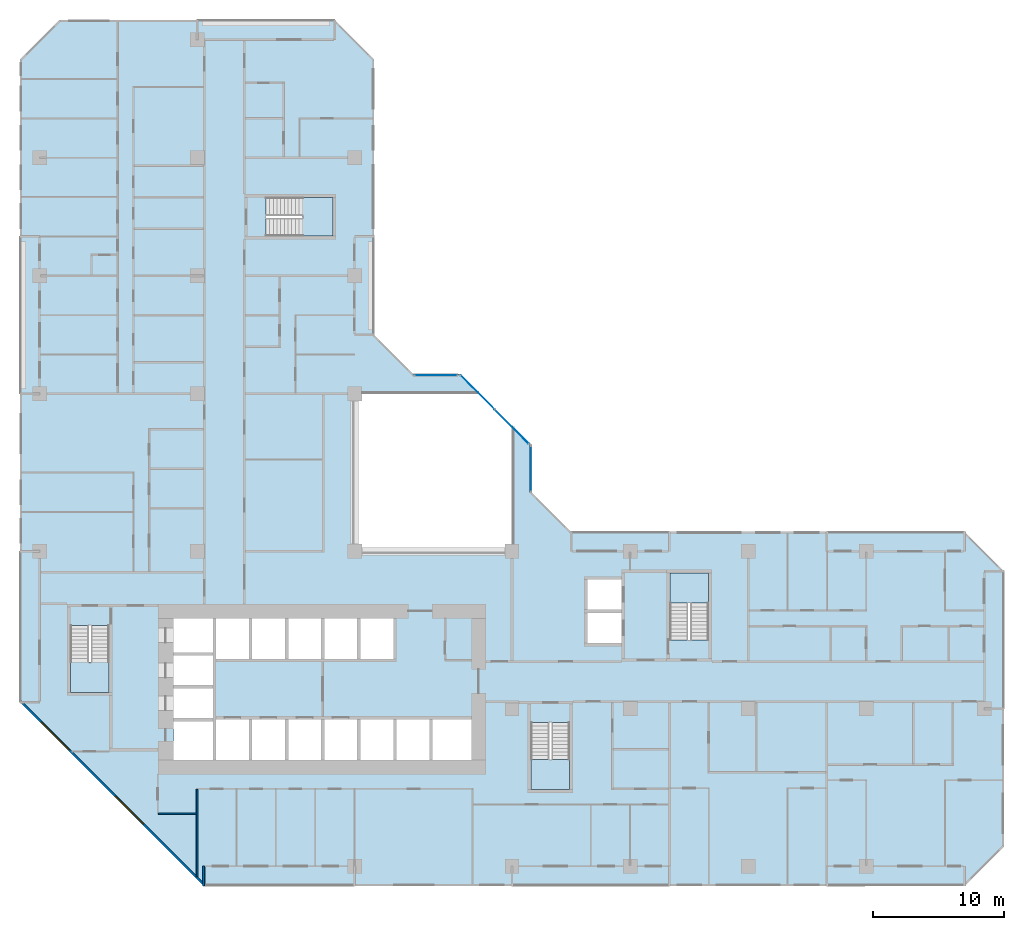
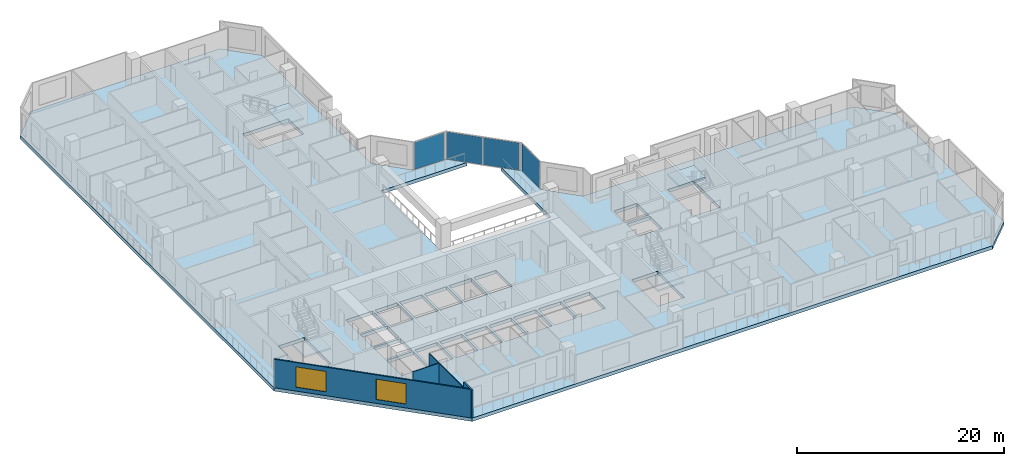
# One storey, part 3 of 15: 5 slabs, 4 plates, 4 walls, 2 windows, 2 openings, 7 elements without a shape of their own.
"""IFC4 building model written with IfcOpenShell, lengths in metres."""

from ifc_helpers import new_model, si_unit, direction, frame, frame_2d, origin, origin_2d, place, context, subcontext, project, spatial, polyline, rectangle, outline, extrude, material, layer, layer_set, type_object, element, fill, aggregate, save


model = new_model("IFC4")

# Units and contexts
model_context = context("Model", 3, precision=1e-05, world=origin(), true_north=direction((0.0, 1.0)))
body_context = subcontext(model_context, "Body", "Model", "MODEL_VIEW")
ifc_project = project(units=[si_unit("LENGTHUNIT", "METRE"), si_unit("AREAUNIT", "SQUARE_METRE"), si_unit("VOLUMEUNIT", "CUBIC_METRE"), si_unit("PLANEANGLEUNIT", "RADIAN"), si_unit("MASSUNIT", "GRAM", prefix="KILO")], contexts=[model_context])

# Site, building, storey
site_placement = place(None, origin())
site = spatial("IfcSite", under=ifc_project, at=site_placement, CompositionType="ELEMENT")
building_placement = place(site_placement, origin())
building = spatial("IfcBuilding", under=site, at=building_placement, Name="Chenar Terraces", CompositionType="ELEMENT")
storey_placement = place(building_placement, frame((0.0, 0.0, 60.14990234375)))
storey = spatial("IfcBuildingStorey", under=building, at=storey_placement, Name="L12", CompositionType="ELEMENT", Elevation=60.14990234375)

# Curtain wall, plate
ifc_material_1 = material(Name="Aluminium framed glazing", Category="aluminium")
ifc_layer_1 = layer(ifc_material_1, 0.14990234375)
ifc_layer_set_1 = layer_set([ifc_layer_1], Name="Aluminium framed glazing")
curtain_wall_type = type_object("IfcCurtainWallType", Name="Atrium curtain wall", PredefinedType="NOTDEFINED", material=ifc_layer_set_1)
placement_1 = place(storey_placement, origin())
curtain_wall_1 = element("IfcCurtainWall", 1, at=placement_1, inside=storey, type_object=curtain_wall_type, Name="Atrium curtain wall", PredefinedType="NOTDEFINED")
ifc_material_2 = material(Name="Low emissivity laminated glass, solar control coating", Category="glass")
ifc_layer_2 = layer(ifc_material_2, 0.028076171875)
ifc_layer_set_2 = layer_set([ifc_layer_2], Name="Low emissivity laminated glass, solar control coating")
plate_type = type_object("IfcPlateType", Name="Atrium glazing panel 28", PredefinedType="CURTAIN_PANEL", material=ifc_layer_set_2)
plate_1_placement = place(storey_placement, frame((37.425048828125, 30.300048828125, 0.06005859375), z_axis=(0.0, 0.0, 1.0), x_axis=(0.0, 1.0, 0.0)))
plate_1 = element("IfcPlate", 2, at=plate_1_placement, type_object=plate_type, Name="CW1-1 panel 1.1", PredefinedType="CURTAIN_PANEL", context=body_context, shape_type="SweptSolid", body=[
    extrude(rectangle(XDim=3.47998046875, YDim=0.028076171875, at=origin_2d()), origin(), (0.0, 0.0, 1.0), 3.22998046875),
])
aggregate(curtain_wall_1, [plate_1])

# Curtain wall, plates
curtain_wall_2 = element("IfcCurtainWall", 3, at=placement_1, inside=storey, type_object=curtain_wall_type, Name="Atrium curtain wall", PredefinedType="NOTDEFINED")
plate_2_placement = place(storey_placement, frame((35.980224609375, 33.513671875, 0.06005859375), z_axis=(0.0, 0.0, 1.0), x_axis=(-0.707106781187, 0.707106781187, 0.0)))
plate_2 = element("IfcPlate", 4, at=plate_2_placement, type_object=plate_type, Name="CW1-2 panel 1.1", PredefinedType="CURTAIN_PANEL", context=body_context, shape_type="SweptSolid", body=[
    extrude(rectangle(XDim=3.62841796875, YDim=0.028076171875, at=origin_2d()), origin(), (0.0, 0.0, 1.0), 3.22998046875),
])
plate_3_placement = place(storey_placement, frame((33.3720703125, 36.121826171875, 0.06005859375), z_axis=(0.0, 0.0, 1.0), x_axis=(-0.707106781187, 0.707106781187, 0.0)))
plate_3 = element("IfcPlate", 5, at=plate_3_placement, type_object=plate_type, Name="CW1-2 panel 2.1", PredefinedType="CURTAIN_PANEL", context=body_context, shape_type="SweptSolid", body=[
    extrude(rectangle(XDim=3.62841796875, YDim=0.028076171875, at=origin_2d()), origin(), (0.0, 0.0, 1.0), 3.22998046875),
])
aggregate(curtain_wall_2, [plate_2, plate_3])

# Curtain wall, plate
curtain_wall_3 = element("IfcCurtainWall", 6, at=placement_1, inside=storey, type_object=curtain_wall_type, Name="Atrium curtain wall", PredefinedType="NOTDEFINED")
plate_4_placement = place(storey_placement, frame((30.199951171875, 37.425048828125, 0.06005859375), z_axis=(0.0, 0.0, 1.0), x_axis=(-1.0, 0.0, 0.0)))
plate_4 = element("IfcPlate", 7, at=plate_4_placement, type_object=plate_type, Name="CW1-3 panel 1.1", PredefinedType="CURTAIN_PANEL", context=body_context, shape_type="SweptSolid", body=[
    extrude(rectangle(XDim=3.280029296875, YDim=0.028076171875, at=origin_2d()), origin(), (0.0, 0.0, 1.0), 3.22998046875),
])
aggregate(curtain_wall_3, [plate_4])

# Stair, slab
ifc_material_3 = material(Name="Reinforced concrete C40/50", Category="concrete")
stair_type = type_object("IfcStairType", Name="Core stair 1400 half-turn", PredefinedType="HALF_TURN_STAIR", material=ifc_material_3)
stair_1 = element("IfcStair", 8, at=placement_1, inside=storey, type_object=stair_type, Name="L12 Stair 1", PredefinedType="HALF_TURN_STAIR")
ifc_material_4 = material(Name="Reinforced concrete C40/50", Category="concrete")
ifc_layer_3 = layer(ifc_material_4, 0.199951171875)
ifc_layer_set_3 = layer_set([ifc_layer_3], Name="Reinforced concrete C40/50")
slab_type_1 = type_object("IfcSlabType", Name="Core stair landing 200", PredefinedType="LANDING", material=ifc_layer_set_3)
placement_2 = place(storey_placement, frame((0.0, 0.0, 1.675048828125)))
slab_1 = element("IfcSlab", 9, at=placement_2, type_object=slab_type_1, Name="ST1 landing 1", PredefinedType="LANDING", context=body_context, shape_type="SweptSolid", body=[
    extrude(outline(polyline([(2.35009765625, 15.550048828125), (2.35009765625, 13.25), (5.300048828125, 13.25), (5.300048828125, 15.550048828125), (2.35009765625, 15.550048828125)])), origin(), (0.0, 0.0, 1.0), 0.199951171875),
])
aggregate(stair_1, [slab_1])

stair_2 = element("IfcStair", 10, at=placement_1, inside=storey, type_object=stair_type, Name="L12 Stair 2", PredefinedType="HALF_TURN_STAIR")
slab_2 = element("IfcSlab", 11, at=placement_2, type_object=slab_type_1, Name="ST2 landing 1", PredefinedType="LANDING", context=body_context, shape_type="SweptSolid", body=[
    extrude(outline(polyline([(37.449951171875, 8.14990234375), (37.449951171875, 5.85009765625), (40.39990234375, 5.85009765625), (40.39990234375, 8.14990234375), (37.449951171875, 8.14990234375)])), origin(), (0.0, 0.0, 1.0), 0.199951171875),
])
aggregate(stair_2, [slab_2])

stair_3 = element("IfcStair", 12, at=placement_1, inside=storey, type_object=stair_type, Name="L12 Stair 3", PredefinedType="HALF_TURN_STAIR")
slab_3 = element("IfcSlab", 13, at=placement_2, type_object=slab_type_1, Name="ST3 landing 1", PredefinedType="LANDING", context=body_context, shape_type="SweptSolid", body=[
    extrude(outline(polyline([(50.97509765625, 20.050048828125), (50.97509765625, 22.35009765625), (48.02490234375, 22.35009765625), (48.02490234375, 20.050048828125), (50.97509765625, 20.050048828125)])), origin(), (0.0, 0.0, 1.0), 0.199951171875),
])
aggregate(stair_3, [slab_3])

stair_4 = element("IfcStair", 14, at=placement_1, inside=storey, type_object=stair_type, Name="L12 Stair 4", PredefinedType="HALF_TURN_STAIR")
slab_4 = element("IfcSlab", 15, at=placement_2, type_object=slab_type_1, Name="ST4 landing 1", PredefinedType="LANDING", context=body_context, shape_type="SweptSolid", body=[
    extrude(outline(polyline([(20.050048828125, 48.02490234375), (22.35009765625, 48.02490234375), (22.35009765625, 50.97509765625), (20.050048828125, 50.97509765625), (20.050048828125, 48.02490234375)])), origin(), (0.0, 0.0, 1.0), 0.199951171875),
])
aggregate(stair_4, [slab_4])

# Slab
ifc_material_5 = material(Name="Concrete C40/50", Category="concrete")
ifc_layer_4 = layer(ifc_material_5, 0.39990234375)
ifc_layer_set_4 = layer_set([ifc_layer_4], Name="Concrete C40/50")
slab_type_2 = type_object("IfcSlabType", Name="Floor slab 400 Concrete C40/50", PredefinedType="FLOOR", material=ifc_layer_set_4)
slab_5_placement = place(storey_placement, frame((0.0, 0.0, -0.39990234375)))
element("IfcSlab", 16, at=slab_5_placement, inside=storey, type_object=slab_type_2, Name="Floor slab L12", PredefinedType="FLOOR", context=body_context, shape_type="SweptSolid", body=[
    extrude(outline(polyline([(73.5, 22.5), (73.5, 1.5), (70.5, -1.5), (12.5, -1.5), (-1.5, 12.5), (-1.5, 61.5), (1.5, 64.5), (22.5, 64.5), (25.5, 61.5), (25.5, 40.5), (28.5, 37.5), (32.10009765625, 37.5), (33.60009765625, 36.0), (24.0, 36.0), (24.0, 24.0), (36.0, 24.0), (36.0, 33.60009765625), (37.5, 32.10009765625), (37.5, 28.5), (40.5, 25.5), (70.5, 25.5), (73.5, 22.5)]), holes=[polyline([(13.199951171875, 11.050048828125), (10.199951171875, 11.050048828125), (10.199951171875, 8.10009765625), (13.199951171875, 8.10009765625), (13.199951171875, 11.050048828125)]), polyline([(15.949951171875, 11.199951171875), (13.449951171875, 11.199951171875), (13.449951171875, 8.10009765625), (15.949951171875, 8.10009765625), (15.949951171875, 11.199951171875)]), polyline([(18.699951171875, 11.199951171875), (16.199951171875, 11.199951171875), (16.199951171875, 8.10009765625), (18.699951171875, 8.10009765625), (18.699951171875, 11.199951171875)]), polyline([(21.449951171875, 8.10009765625), (21.449951171875, 11.199951171875), (18.949951171875, 11.199951171875), (18.949951171875, 8.10009765625), (21.449951171875, 8.10009765625)]), polyline([(13.199951171875, 11.300048828125), (13.199951171875, 13.550048828125), (10.199951171875, 13.550048828125), (10.199951171875, 11.300048828125), (13.199951171875, 11.300048828125)]), polyline([(13.199951171875, 16.050048828125), (10.199951171875, 16.050048828125), (10.199951171875, 13.800048828125), (13.199951171875, 13.800048828125), (13.199951171875, 16.050048828125)]), polyline([(2.35009765625, 18.35009765625), (2.35009765625, 13.25), (5.300048828125, 13.25), (5.300048828125, 18.35009765625), (2.35009765625, 18.35009765625)]), polyline([(15.949951171875, 15.800048828125), (15.949951171875, 18.89990234375), (13.449951171875, 18.89990234375), (13.449951171875, 15.800048828125), (15.949951171875, 15.800048828125)]), polyline([(18.699951171875, 18.89990234375), (16.199951171875, 18.89990234375), (16.199951171875, 15.800048828125), (18.699951171875, 15.800048828125), (18.699951171875, 18.89990234375)]), polyline([(21.449951171875, 15.800048828125), (21.449951171875, 18.89990234375), (18.949951171875, 18.89990234375), (18.949951171875, 15.800048828125), (21.449951171875, 15.800048828125)]), polyline([(13.199951171875, 16.300048828125), (13.199951171875, 18.89990234375), (10.199951171875, 18.89990234375), (10.199951171875, 16.300048828125), (13.199951171875, 16.300048828125)]), polyline([(22.35009765625, 48.02490234375), (22.35009765625, 50.97509765625), (17.25, 50.97509765625), (17.25, 48.02490234375), (22.35009765625, 48.02490234375)]), polyline([(37.449951171875, 10.949951171875), (37.449951171875, 5.85009765625), (40.39990234375, 5.85009765625), (40.39990234375, 10.949951171875), (37.449951171875, 10.949951171875)]), polyline([(24.199951171875, 8.10009765625), (24.199951171875, 11.199951171875), (21.699951171875, 11.199951171875), (21.699951171875, 8.10009765625), (24.199951171875, 8.10009765625)]), polyline([(26.949951171875, 11.199951171875), (24.449951171875, 11.199951171875), (24.449951171875, 8.10009765625), (26.949951171875, 8.10009765625), (26.949951171875, 11.199951171875)]), polyline([(29.699951171875, 8.10009765625), (29.699951171875, 11.199951171875), (27.199951171875, 11.199951171875), (27.199951171875, 8.10009765625), (29.699951171875, 8.10009765625)]), polyline([(32.89990234375, 8.10009765625), (32.89990234375, 11.199951171875), (29.949951171875, 11.199951171875), (29.949951171875, 8.10009765625), (32.89990234375, 8.10009765625)]), polyline([(24.199951171875, 18.89990234375), (21.699951171875, 18.89990234375), (21.699951171875, 15.800048828125), (24.199951171875, 15.800048828125), (24.199951171875, 18.89990234375)]), polyline([(26.949951171875, 15.800048828125), (26.949951171875, 18.89990234375), (24.449951171875, 18.89990234375), (24.449951171875, 15.800048828125), (26.949951171875, 15.800048828125)]), polyline([(44.35009765625, 17.0), (44.35009765625, 19.300048828125), (41.75, 19.300048828125), (41.75, 17.0), (44.35009765625, 17.0)]), polyline([(50.97509765625, 22.35009765625), (48.02490234375, 22.35009765625), (48.02490234375, 17.25), (50.97509765625, 17.25), (50.97509765625, 22.35009765625)]), polyline([(44.35009765625, 19.550048828125), (44.35009765625, 21.85009765625), (41.75, 21.85009765625), (41.75, 19.550048828125), (44.35009765625, 19.550048828125)])]), origin(), (0.0, 0.0, 1.0), 0.39990234375),
])

# Walls
ifc_material_6 = material(Name="Gypsum board on steel studs", Category="steel")
ifc_layer_5 = layer(ifc_material_6, 0.10009765625)
ifc_layer_set_5 = layer_set([ifc_layer_5], Name="Gypsum board on steel studs")
wall_type_1 = type_object("IfcWallType", Name="Gypsum partition 100", PredefinedType="PARTITIONING", material=ifc_layer_set_5)
wall_1_placement = place(storey_placement, frame((9.050048828125, 4.0, 0.0), z_axis=(0.0, 0.0, 1.0), x_axis=(1.0, 0.0, 0.0)))
element("IfcWall", 17, at=wall_1_placement, inside=storey, type_object=wall_type_1, Name="Partition L12-032", PredefinedType="PARTITIONING", context=body_context, shape_type="SweptSolid", body=[
    extrude(rectangle(XDim=2.89990234375, YDim=0.10009765625, at=frame_2d((1.449951171875, 0.0))), origin(), (0.0, 0.0, 1.0), 3.35009765625),
])
wall_2_placement = place(storey_placement, frame((12.0, -0.787841796875, 0.0), z_axis=(0.0, 0.0, 1.0), x_axis=(0.0, 1.0, 0.0)))
element("IfcWall", 18, at=wall_2_placement, inside=storey, type_object=wall_type_1, Name="Partition L12-034", PredefinedType="PARTITIONING", context=body_context, shape_type="SweptSolid", body=[
    extrude(rectangle(XDim=6.637939453125, YDim=0.10009765625, at=frame_2d((3.31884765625, 0.0))), origin(), (0.0, 0.0, 1.0), 3.35009765625),
])
ifc_material_7 = material(Name="Terracotta cladding on insulated backing", Category="masonry")
ifc_layer_6 = layer(ifc_material_7, 0.14990234375)
ifc_layer_set_6 = layer_set([ifc_layer_6], Name="Terracotta cladding on insulated backing")
wall_type_2 = type_object("IfcWallType", Name="Loggia return wall 150", PredefinedType="SOLIDWALL", material=ifc_layer_set_6)
wall_3_placement = place(storey_placement, frame((12.5, -1.5, 0.0), z_axis=(0.0, 0.0, 1.0), x_axis=(0.0, 1.0, 0.0)))
element("IfcWall", 19, at=wall_3_placement, inside=storey, type_object=wall_type_2, Name="Loggia return wall", PredefinedType="SOLIDWALL", context=body_context, shape_type="SweptSolid", body=[
    extrude(rectangle(XDim=1.5, YDim=0.14990234375, at=frame_2d((0.75, 0.0))), origin(), (0.0, 0.0, 1.0), 3.35009765625),
])

# Wall, openings, windows
ifc_material_8 = material(Name="Terracotta cladding on insulated backing", Category="masonry")
ifc_layer_7 = layer(ifc_material_8, 0.14990234375)
ifc_layer_set_7 = layer_set([ifc_layer_7], Name="Terracotta cladding on insulated backing")
wall_type_3 = type_object("IfcWallType", Name="Terracotta rainscreen wall 150", PredefinedType="SOLIDWALL", material=ifc_layer_set_7)
wall_4_placement = place(storey_placement, frame((-1.447021484375, 12.552978515625, 0.0), z_axis=(0.0, 0.0, 1.0), x_axis=(0.707106781187, -0.707106781187, 0.0)))
wall_4 = element("IfcWall", 20, at=wall_4_placement, inside=storey, type_object=wall_type_3, Name="Terracotta rainscreen wall", PredefinedType="SOLIDWALL", context=body_context, shape_type="SweptSolid", body=[
    extrude(rectangle(XDim=19.799072265625, YDim=0.14990234375, at=frame_2d((9.8994140625, 0.0))), origin(), (0.0, 0.0, 1.0), 3.35009765625),
])
opening_1_placement = place(wall_4_placement, frame((2.21240234375, 0.0, 0.449951171875)))
opening_1 = element("IfcOpeningElement", 21, at=opening_1_placement, cuts=wall_4, Name="Opening W300x240", PredefinedType="OPENING", context=body_context, shape_type="SweptSolid", body=[
    extrude(rectangle(XDim=3.0, YDim=2.39990234375, at=frame_2d((1.5, 1.199951171875))), frame((0.0, 0.0849609375, 0.0), z_axis=(0.0, -1.0, 0.0), x_axis=(1.0, 0.0, 0.0)), (0.0, 0.0, 1.0), 0.169921875),
])
opening_2_placement = place(wall_4_placement, frame((10.215576171875, 0.0, 0.449951171875)))
opening_2 = element("IfcOpeningElement", 22, at=opening_2_placement, cuts=wall_4, Name="Opening W300x240", PredefinedType="OPENING", context=body_context, shape_type="SweptSolid", body=[
    extrude(rectangle(XDim=3.0, YDim=2.39990234375, at=frame_2d((1.5, 1.199951171875))), frame((0.0, 0.0849609375, 0.0), z_axis=(0.0, -1.0, 0.0), x_axis=(1.0, 0.0, 0.0)), (0.0, 0.0, 1.0), 0.169921875),
])
ifc_material_9 = material(Name="Low emissivity double glazing, aluminium frame", Category="aluminium")
window_type = type_object("IfcWindowType", Name="Fixed light 3000 x 2400", PartitioningType="SINGLE_PANEL", PredefinedType="WINDOW", material=ifc_material_9)
window_1_placement = place(opening_1_placement, origin())
window_1 = element("IfcWindow", 23, at=window_1_placement, inside=storey, type_object=window_type, Name="Window", OverallHeight=2.39990234375, OverallWidth=3.0, PartitioningType="SINGLE_PANEL", PredefinedType="WINDOW", context=body_context, shape_type="SweptSolid", body=[
    extrude(rectangle(XDim=3.0, YDim=2.39990234375, at=frame_2d((1.5, 1.199951171875))), frame((0.0, 0.030029296875, 0.0), z_axis=(0.0, -1.0, 0.0), x_axis=(1.0, 0.0, 0.0)), (0.0, 0.0, 1.0), 0.06005859375),
])
fill(opening_1, window_1)
window_2_placement = place(opening_2_placement, origin())
window_2 = element("IfcWindow", 24, at=window_2_placement, inside=storey, type_object=window_type, Name="Window", OverallHeight=2.39990234375, OverallWidth=3.0, PartitioningType="SINGLE_PANEL", PredefinedType="WINDOW", context=body_context, shape_type="SweptSolid", body=[
    extrude(rectangle(XDim=3.0, YDim=2.39990234375, at=frame_2d((1.5, 1.199951171875))), frame((0.0, 0.030029296875, 0.0), z_axis=(0.0, -1.0, 0.0), x_axis=(1.0, 0.0, 0.0)), (0.0, 0.0, 1.0), 0.06005859375),
])
fill(opening_2, window_2)

save(model, "model.ifc")
